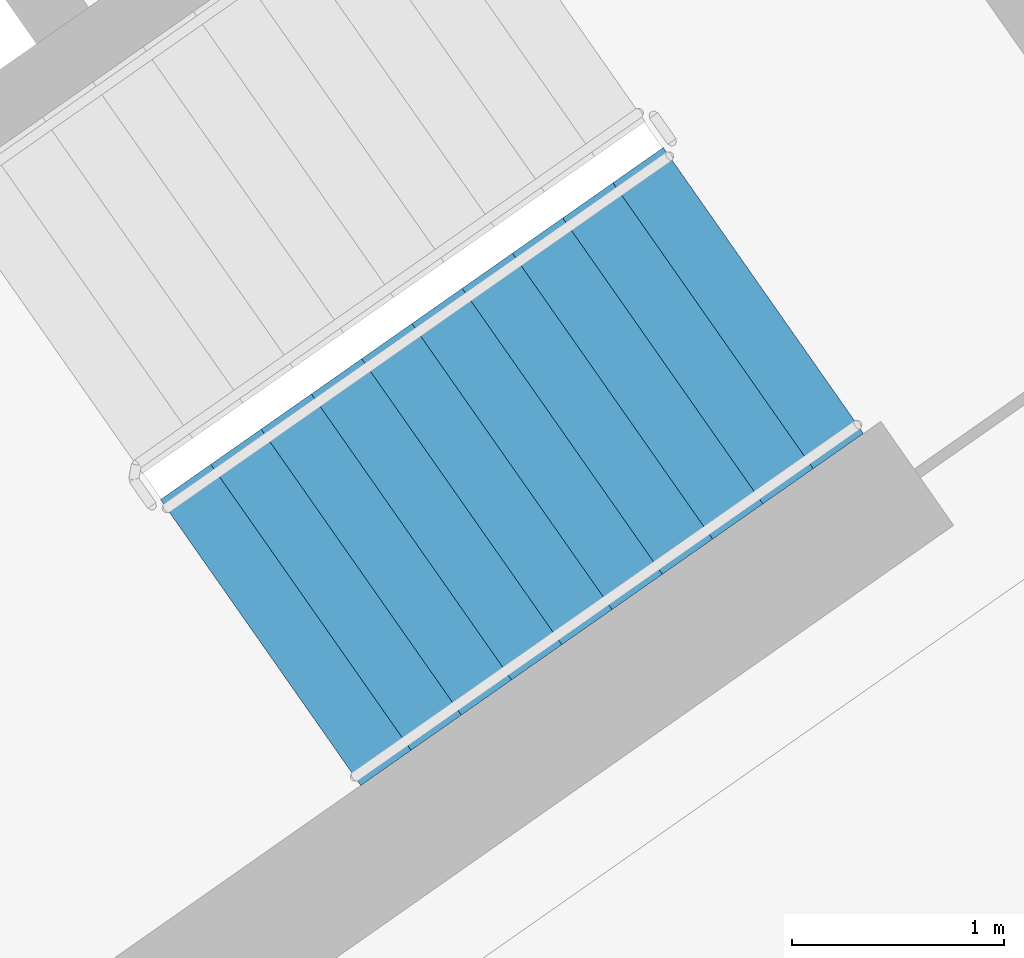
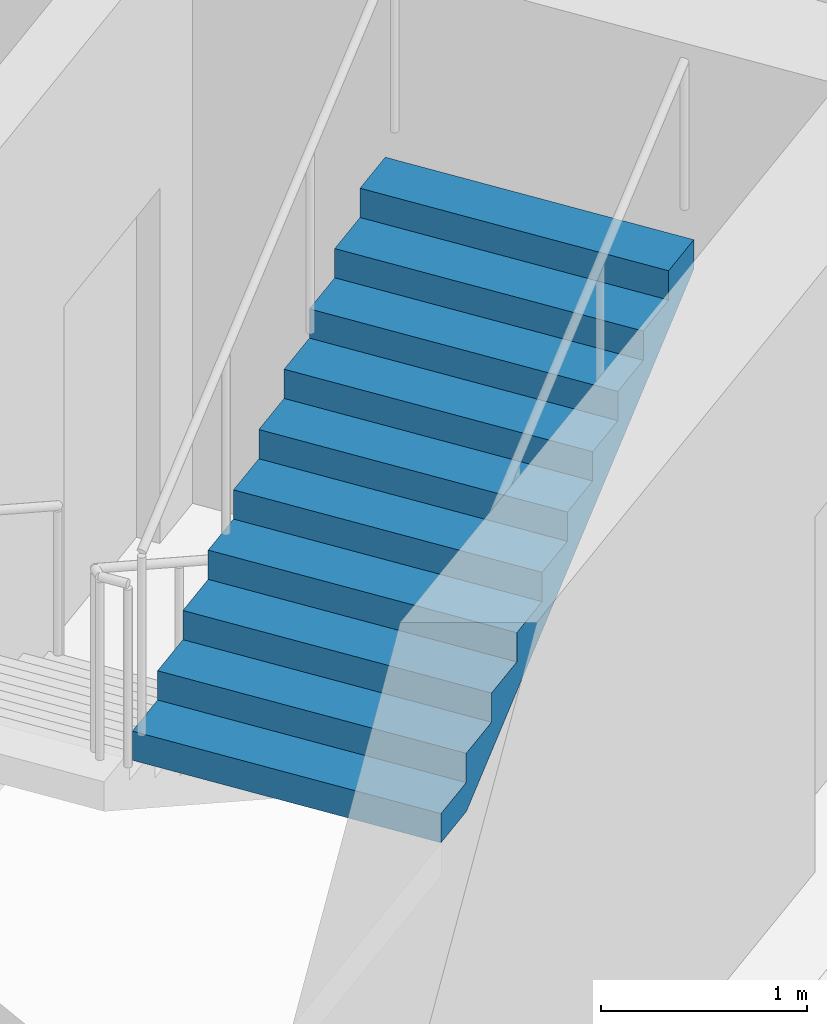
# One storey, part 14 of 28: 1 stair flight, 1 element without a shape of its own.
"""IFC4 building model written with IfcOpenShell, lengths in metres."""

from ifc_helpers import new_model, si_unit, direction, frame, origin, place, context, subcontext, project, spatial, faceted_brep, material, type_object, element, aggregate, save


model = new_model("IFC4")

# Units and contexts
model_context = context("Model", 3, precision=1e-05, world=origin(), true_north=direction((0.0, 1.0)))
body_context = subcontext(model_context, "Body", "Model", "MODEL_VIEW")
ifc_project = project(units=[si_unit("LENGTHUNIT", "METRE"), si_unit("AREAUNIT", "SQUARE_METRE"), si_unit("VOLUMEUNIT", "CUBIC_METRE"), si_unit("PLANEANGLEUNIT", "RADIAN"), si_unit("MASSUNIT", "GRAM", prefix="KILO")], contexts=[model_context])

# Site, building, storey
site_placement = place(None, origin())
site = spatial("IfcSite", under=ifc_project, at=site_placement, CompositionType="ELEMENT")
building_placement = place(site_placement, origin())
building = spatial("IfcBuilding", under=site, at=building_placement, Name="Qamariyya Broadcast Tower", CompositionType="ELEMENT")
storey_placement = place(building_placement, frame((0.0, 0.0, 273.300048828125)))
storey = spatial("IfcBuildingStorey", under=building, at=storey_placement, Name="L66", CompositionType="ELEMENT", Elevation=273.300048828125)

# Stair, stair flight
ifc_material = material(Name="Concrete C50/60", Category="concrete")
stair_type = type_object("IfcStairType", Name="Exit stair 22 risers of 173 mm", PredefinedType="HALF_TURN_STAIR", material=ifc_material)
stair_placement = place(storey_placement, origin())
stair = element("IfcStair", 1, at=stair_placement, inside=storey, type_object=stair_type, Name="L66 Stair E1", PredefinedType="HALF_TURN_STAIR")
stair_flight_type = type_object("IfcStairFlightType", Name="Exit stair flight 11 risers of 173 mm", PredefinedType="STRAIGHT", material=ifc_material)
stair_flight_placement = place(storey_placement, frame((44.693359375, -58.64599609375, 1.89990234375), z_axis=(0.0, 0.0, 1.0), x_axis=(0.819152044289, 0.573576436351, 0.0)))
stair_flight = element("IfcStairFlight", 2, at=stair_flight_placement, type_object=stair_flight_type, Name="ST-E1 flight 2", NumberOfRisers=11, NumberOfTreads=10, PredefinedType="STRAIGHT", RiserHeight=0.172727273, TreadLength=0.29, context=body_context, shape_type="Brep", body=[
    faceted_brep([(0.0, 0.824951171875, 0.0), (0.0, 0.824951171875, 0.172607421875), (0.2900390625, 0.824951171875, 0.172607421875), (0.2900390625, 0.824951171875, 0.345458984375), (0.580078125, 0.824951171875, 0.345458984375), (0.580078125, 0.824951171875, 0.51806640625), (0.8701171875, 0.824951171875, 0.51806640625), (0.8701171875, 0.824951171875, 0.69091796875), (1.159912109375, 0.824951171875, 0.69091796875), (1.159912109375, 0.824951171875, 0.863525390625), (1.449951171875, 0.824951171875, 0.863525390625), (1.449951171875, 0.824951171875, 1.036376953125), (1.739990234375, 0.824951171875, 1.036376953125), (1.739990234375, 0.824951171875, 1.208984375), (2.030029296875, 0.824951171875, 1.208984375), (2.030029296875, 0.824951171875, 1.3818359375), (2.320068359375, 0.824951171875, 1.3818359375), (2.320068359375, 0.824951171875, 1.554443359375), (2.610107421875, 0.824951171875, 1.554443359375), (2.610107421875, 0.824951171875, 1.727294921875), (2.89990234375, 0.824951171875, 1.727294921875), (2.89990234375, 0.824951171875, 1.552734375), (0.29296875, 0.824951171875, 0.0), (0.29296875, -0.824951171875, 0.0), (2.89990234375, -0.824951171875, 1.552734375), (2.89990234375, -0.824951171875, 1.727294921875), (2.610107421875, -0.824951171875, 1.727294921875), (2.610107421875, -0.824951171875, 1.554443359375), (2.320068359375, -0.824951171875, 1.554443359375), (2.320068359375, -0.824951171875, 1.3818359375), (2.030029296875, -0.824951171875, 1.3818359375), (2.030029296875, -0.824951171875, 1.208984375), (1.739990234375, -0.824951171875, 1.208984375), (1.739990234375, -0.824951171875, 1.036376953125), (1.449951171875, -0.824951171875, 1.036376953125), (1.449951171875, -0.824951171875, 0.863525390625), (1.159912109375, -0.824951171875, 0.863525390625), (1.159912109375, -0.824951171875, 0.69091796875), (0.8701171875, -0.824951171875, 0.69091796875), (0.8701171875, -0.824951171875, 0.51806640625), (0.580078125, -0.824951171875, 0.51806640625), (0.580078125, -0.824951171875, 0.345458984375), (0.2900390625, -0.824951171875, 0.345458984375), (0.2900390625, -0.824951171875, 0.172607421875), (0.0, -0.824951171875, 0.172607421875), (0.0, -0.824951171875, 0.0), (0.0, 0.10009765625, 0.0), (0.0, 0.086669921875, 0.0), (0.0, 0.0732421875, 0.0), (0.0, 0.06005859375, 0.0), (0.0, 0.046630859375, 0.0), (0.0, 0.033447265625, 0.0), (0.0, 0.02001953125, 0.0), (0.0, 0.006591796875, 0.0), (0.0, -0.006591796875, 0.0), (0.0, -0.02001953125, 0.0), (0.0, -0.033447265625, 0.0), (0.0, -0.046630859375, 0.0), (0.0, -0.06005859375, 0.0), (0.0, -0.0732421875, 0.0), (0.0, -0.086669921875, 0.0), (0.0, -0.10009765625, 0.0), (0.0, -0.10009765625, 0.172607421875), (0.0, -0.086669921875, 0.172607421875), (0.0, -0.0732421875, 0.172607421875), (0.0, -0.06005859375, 0.172607421875), (0.0, -0.046630859375, 0.172607421875), (0.0, -0.033447265625, 0.172607421875), (0.0, -0.02001953125, 0.172607421875), (0.0, -0.006591796875, 0.172607421875), (0.0, 0.006591796875, 0.172607421875), (0.0, 0.02001953125, 0.172607421875), (0.0, 0.033447265625, 0.172607421875), (0.0, 0.046630859375, 0.172607421875), (0.0, 0.06005859375, 0.172607421875), (0.0, 0.0732421875, 0.172607421875), (0.0, 0.086669921875, 0.172607421875), (0.0, 0.10009765625, 0.172607421875), (0.2900390625, -0.10009765625, 0.172607421875), (0.2900390625, -0.086669921875, 0.172607421875), (0.2900390625, -0.0732421875, 0.172607421875), (0.2900390625, -0.06005859375, 0.172607421875), (0.2900390625, -0.046630859375, 0.172607421875), (0.2900390625, -0.033447265625, 0.172607421875), (0.2900390625, -0.02001953125, 0.172607421875), (0.2900390625, -0.006591796875, 0.172607421875), (0.2900390625, 0.006591796875, 0.172607421875), (0.2900390625, 0.02001953125, 0.172607421875), (0.2900390625, 0.033447265625, 0.172607421875), (0.2900390625, 0.046630859375, 0.172607421875), (0.2900390625, 0.06005859375, 0.172607421875), (0.2900390625, 0.0732421875, 0.172607421875), (0.2900390625, 0.086669921875, 0.172607421875), (0.2900390625, 0.10009765625, 0.172607421875), (0.2900390625, -0.10009765625, 0.345458984375), (0.2900390625, -0.086669921875, 0.345458984375), (0.2900390625, -0.0732421875, 0.345458984375), (0.2900390625, -0.06005859375, 0.345458984375), (0.2900390625, -0.046630859375, 0.345458984375), (0.2900390625, -0.033447265625, 0.345458984375), (0.2900390625, -0.02001953125, 0.345458984375), (0.2900390625, -0.006591796875, 0.345458984375), (0.2900390625, 0.006591796875, 0.345458984375), (0.2900390625, 0.02001953125, 0.345458984375), (0.2900390625, 0.033447265625, 0.345458984375), (0.2900390625, 0.046630859375, 0.345458984375), (0.2900390625, 0.06005859375, 0.345458984375), (0.2900390625, 0.0732421875, 0.345458984375), (0.2900390625, 0.086669921875, 0.345458984375), (0.2900390625, 0.10009765625, 0.345458984375), (0.580078125, -0.10009765625, 0.345458984375), (0.580078125, -0.086669921875, 0.345458984375), (0.580078125, -0.0732421875, 0.345458984375), (0.580078125, -0.06005859375, 0.345458984375), (0.580078125, -0.046630859375, 0.345458984375), (0.580078125, -0.033447265625, 0.345458984375), (0.580078125, -0.02001953125, 0.345458984375), (0.580078125, -0.006591796875, 0.345458984375), (0.580078125, 0.006591796875, 0.345458984375), (0.580078125, 0.02001953125, 0.345458984375), (0.580078125, 0.033447265625, 0.345458984375), (0.580078125, 0.046630859375, 0.345458984375), (0.580078125, 0.06005859375, 0.345458984375), (0.580078125, 0.0732421875, 0.345458984375), (0.580078125, 0.086669921875, 0.345458984375), (0.580078125, 0.10009765625, 0.345458984375), (0.580078125, -0.10009765625, 0.51806640625), (0.580078125, -0.086669921875, 0.51806640625), (0.580078125, -0.0732421875, 0.51806640625), (0.580078125, -0.06005859375, 0.51806640625), (0.580078125, -0.046630859375, 0.51806640625), (0.580078125, -0.033447265625, 0.51806640625), (0.580078125, -0.02001953125, 0.51806640625), (0.580078125, -0.006591796875, 0.51806640625), (0.580078125, 0.006591796875, 0.51806640625), (0.580078125, 0.02001953125, 0.51806640625), (0.580078125, 0.033447265625, 0.51806640625), (0.580078125, 0.046630859375, 0.51806640625), (0.580078125, 0.06005859375, 0.51806640625), (0.580078125, 0.0732421875, 0.51806640625), (0.580078125, 0.086669921875, 0.51806640625), (0.580078125, 0.10009765625, 0.51806640625), (0.8701171875, -0.10009765625, 0.51806640625), (0.8701171875, -0.086669921875, 0.51806640625), (0.8701171875, -0.0732421875, 0.51806640625), (0.8701171875, -0.06005859375, 0.51806640625), (0.8701171875, -0.046630859375, 0.51806640625), (0.8701171875, -0.033447265625, 0.51806640625), (0.8701171875, -0.02001953125, 0.51806640625), (0.8701171875, -0.006591796875, 0.51806640625), (0.8701171875, 0.006591796875, 0.51806640625), (0.8701171875, 0.02001953125, 0.51806640625), (0.8701171875, 0.033447265625, 0.51806640625), (0.8701171875, 0.046630859375, 0.51806640625), (0.8701171875, 0.06005859375, 0.51806640625), (0.8701171875, 0.0732421875, 0.51806640625), (0.8701171875, 0.086669921875, 0.51806640625), (0.8701171875, 0.10009765625, 0.51806640625), (0.8701171875, -0.10009765625, 0.69091796875), (0.8701171875, -0.086669921875, 0.69091796875), (0.8701171875, -0.0732421875, 0.69091796875), (0.8701171875, -0.06005859375, 0.69091796875), (0.8701171875, -0.046630859375, 0.69091796875), (0.8701171875, -0.033447265625, 0.69091796875), (0.8701171875, -0.02001953125, 0.69091796875), (0.8701171875, -0.006591796875, 0.69091796875), (0.8701171875, 0.006591796875, 0.69091796875), (0.8701171875, 0.02001953125, 0.69091796875), (0.8701171875, 0.033447265625, 0.69091796875), (0.8701171875, 0.046630859375, 0.69091796875), (0.8701171875, 0.06005859375, 0.69091796875), (0.8701171875, 0.0732421875, 0.69091796875), (0.8701171875, 0.086669921875, 0.69091796875), (0.8701171875, 0.10009765625, 0.69091796875), (1.159912109375, -0.10009765625, 0.69091796875), (1.159912109375, -0.086669921875, 0.69091796875), (1.159912109375, -0.0732421875, 0.69091796875), (1.159912109375, -0.06005859375, 0.69091796875), (1.159912109375, -0.046630859375, 0.69091796875), (1.159912109375, -0.033447265625, 0.69091796875), (1.159912109375, -0.02001953125, 0.69091796875), (1.159912109375, -0.006591796875, 0.69091796875), (1.159912109375, 0.006591796875, 0.69091796875), (1.159912109375, 0.02001953125, 0.69091796875), (1.159912109375, 0.033447265625, 0.69091796875), (1.159912109375, 0.046630859375, 0.69091796875), (1.159912109375, 0.06005859375, 0.69091796875), (1.159912109375, 0.0732421875, 0.69091796875), (1.159912109375, 0.086669921875, 0.69091796875), (1.159912109375, 0.10009765625, 0.69091796875), (1.159912109375, -0.10009765625, 0.863525390625), (1.159912109375, -0.086669921875, 0.863525390625), (1.159912109375, -0.0732421875, 0.863525390625), (1.159912109375, -0.06005859375, 0.863525390625), (1.159912109375, -0.046630859375, 0.863525390625), (1.159912109375, -0.033447265625, 0.863525390625), (1.159912109375, -0.02001953125, 0.863525390625), (1.159912109375, -0.006591796875, 0.863525390625), (1.159912109375, 0.006591796875, 0.863525390625), (1.159912109375, 0.02001953125, 0.863525390625), (1.159912109375, 0.033447265625, 0.863525390625), (1.159912109375, 0.046630859375, 0.863525390625), (1.159912109375, 0.06005859375, 0.863525390625), (1.159912109375, 0.0732421875, 0.863525390625), (1.159912109375, 0.086669921875, 0.863525390625), (1.159912109375, 0.10009765625, 0.863525390625), (1.449951171875, -0.10009765625, 0.863525390625), (1.449951171875, -0.086669921875, 0.863525390625), (1.449951171875, -0.0732421875, 0.863525390625), (1.449951171875, -0.06005859375, 0.863525390625), (1.449951171875, -0.046630859375, 0.863525390625), (1.449951171875, -0.033447265625, 0.863525390625), (1.449951171875, -0.02001953125, 0.863525390625), (1.449951171875, -0.006591796875, 0.863525390625), (1.449951171875, 0.006591796875, 0.863525390625), (1.449951171875, 0.02001953125, 0.863525390625), (1.449951171875, 0.033447265625, 0.863525390625), (1.449951171875, 0.046630859375, 0.863525390625), (1.449951171875, 0.06005859375, 0.863525390625), (1.449951171875, 0.0732421875, 0.863525390625), (1.449951171875, 0.086669921875, 0.863525390625), (1.449951171875, 0.10009765625, 0.863525390625), (1.449951171875, -0.10009765625, 1.036376953125), (1.449951171875, -0.086669921875, 1.036376953125), (1.449951171875, -0.0732421875, 1.036376953125), (1.449951171875, -0.06005859375, 1.036376953125), (1.449951171875, -0.046630859375, 1.036376953125), (1.449951171875, -0.033447265625, 1.036376953125), (1.449951171875, -0.02001953125, 1.036376953125), (1.449951171875, -0.006591796875, 1.036376953125), (1.449951171875, 0.006591796875, 1.036376953125), (1.449951171875, 0.02001953125, 1.036376953125), (1.449951171875, 0.033447265625, 1.036376953125), (1.449951171875, 0.046630859375, 1.036376953125), (1.449951171875, 0.06005859375, 1.036376953125), (1.449951171875, 0.0732421875, 1.036376953125), (1.449951171875, 0.086669921875, 1.036376953125), (1.449951171875, 0.10009765625, 1.036376953125), (1.739990234375, -0.10009765625, 1.036376953125), (1.739990234375, -0.086669921875, 1.036376953125), (1.739990234375, -0.0732421875, 1.036376953125), (1.739990234375, -0.06005859375, 1.036376953125), (1.739990234375, -0.046630859375, 1.036376953125), (1.739990234375, -0.033447265625, 1.036376953125), (1.739990234375, -0.02001953125, 1.036376953125), (1.739990234375, -0.006591796875, 1.036376953125), (1.739990234375, 0.006591796875, 1.036376953125), (1.739990234375, 0.02001953125, 1.036376953125), (1.739990234375, 0.033447265625, 1.036376953125), (1.739990234375, 0.046630859375, 1.036376953125), (1.739990234375, 0.06005859375, 1.036376953125), (1.739990234375, 0.0732421875, 1.036376953125), (1.739990234375, 0.086669921875, 1.036376953125), (1.739990234375, 0.10009765625, 1.036376953125), (1.739990234375, -0.10009765625, 1.208984375), (1.739990234375, -0.086669921875, 1.208984375), (1.739990234375, -0.0732421875, 1.208984375), (1.739990234375, -0.06005859375, 1.208984375), (1.739990234375, -0.046630859375, 1.208984375), (1.739990234375, -0.033447265625, 1.208984375), (1.739990234375, -0.02001953125, 1.208984375), (1.739990234375, -0.006591796875, 1.208984375), (1.739990234375, 0.006591796875, 1.208984375), (1.739990234375, 0.02001953125, 1.208984375), (1.739990234375, 0.033447265625, 1.208984375), (1.739990234375, 0.046630859375, 1.208984375), (1.739990234375, 0.06005859375, 1.208984375), (1.739990234375, 0.0732421875, 1.208984375), (1.739990234375, 0.086669921875, 1.208984375), (1.739990234375, 0.10009765625, 1.208984375), (2.030029296875, -0.10009765625, 1.208984375), (2.030029296875, -0.086669921875, 1.208984375), (2.030029296875, -0.0732421875, 1.208984375), (2.030029296875, -0.06005859375, 1.208984375), (2.030029296875, -0.046630859375, 1.208984375), (2.030029296875, -0.033447265625, 1.208984375), (2.030029296875, -0.02001953125, 1.208984375), (2.030029296875, -0.006591796875, 1.208984375), (2.030029296875, 0.006591796875, 1.208984375), (2.030029296875, 0.02001953125, 1.208984375), (2.030029296875, 0.033447265625, 1.208984375), (2.030029296875, 0.046630859375, 1.208984375), (2.030029296875, 0.06005859375, 1.208984375), (2.030029296875, 0.0732421875, 1.208984375), (2.030029296875, 0.086669921875, 1.208984375), (2.030029296875, 0.10009765625, 1.208984375), (2.030029296875, -0.10009765625, 1.3818359375), (2.030029296875, -0.086669921875, 1.3818359375), (2.030029296875, -0.0732421875, 1.3818359375), (2.030029296875, -0.06005859375, 1.3818359375), (2.030029296875, -0.046630859375, 1.3818359375), (2.030029296875, -0.033447265625, 1.3818359375), (2.030029296875, -0.02001953125, 1.3818359375), (2.030029296875, -0.006591796875, 1.3818359375), (2.030029296875, 0.006591796875, 1.3818359375), (2.030029296875, 0.02001953125, 1.3818359375), (2.030029296875, 0.033447265625, 1.3818359375), (2.030029296875, 0.046630859375, 1.3818359375), (2.030029296875, 0.06005859375, 1.3818359375), (2.030029296875, 0.0732421875, 1.3818359375), (2.030029296875, 0.086669921875, 1.3818359375), (2.030029296875, 0.10009765625, 1.3818359375), (2.320068359375, -0.10009765625, 1.3818359375), (2.320068359375, -0.086669921875, 1.3818359375), (2.320068359375, -0.0732421875, 1.3818359375), (2.320068359375, -0.06005859375, 1.3818359375), (2.320068359375, -0.046630859375, 1.3818359375), (2.320068359375, -0.033447265625, 1.3818359375), (2.320068359375, -0.02001953125, 1.3818359375), (2.320068359375, -0.006591796875, 1.3818359375), (2.320068359375, 0.006591796875, 1.3818359375), (2.320068359375, 0.02001953125, 1.3818359375), (2.320068359375, 0.033447265625, 1.3818359375), (2.320068359375, 0.046630859375, 1.3818359375), (2.320068359375, 0.06005859375, 1.3818359375), (2.320068359375, 0.0732421875, 1.3818359375), (2.320068359375, 0.086669921875, 1.3818359375), (2.320068359375, 0.10009765625, 1.3818359375), (2.320068359375, -0.10009765625, 1.554443359375), (2.320068359375, -0.086669921875, 1.554443359375), (2.320068359375, -0.0732421875, 1.554443359375), (2.320068359375, -0.06005859375, 1.554443359375), (2.320068359375, -0.046630859375, 1.554443359375), (2.320068359375, -0.033447265625, 1.554443359375), (2.320068359375, -0.02001953125, 1.554443359375), (2.320068359375, -0.006591796875, 1.554443359375), (2.320068359375, 0.006591796875, 1.554443359375), (2.320068359375, 0.02001953125, 1.554443359375), (2.320068359375, 0.033447265625, 1.554443359375), (2.320068359375, 0.046630859375, 1.554443359375), (2.320068359375, 0.06005859375, 1.554443359375), (2.320068359375, 0.0732421875, 1.554443359375), (2.320068359375, 0.086669921875, 1.554443359375), (2.320068359375, 0.10009765625, 1.554443359375), (2.610107421875, -0.10009765625, 1.554443359375), (2.610107421875, -0.086669921875, 1.554443359375), (2.610107421875, -0.0732421875, 1.554443359375), (2.610107421875, -0.06005859375, 1.554443359375), (2.610107421875, -0.046630859375, 1.554443359375), (2.610107421875, -0.033447265625, 1.554443359375), (2.610107421875, -0.02001953125, 1.554443359375), (2.610107421875, -0.006591796875, 1.554443359375), (2.610107421875, 0.006591796875, 1.554443359375), (2.610107421875, 0.02001953125, 1.554443359375), (2.610107421875, 0.033447265625, 1.554443359375), (2.610107421875, 0.046630859375, 1.554443359375), (2.610107421875, 0.06005859375, 1.554443359375), (2.610107421875, 0.0732421875, 1.554443359375), (2.610107421875, 0.086669921875, 1.554443359375), (2.610107421875, 0.10009765625, 1.554443359375), (2.610107421875, -0.10009765625, 1.727294921875), (2.610107421875, -0.086669921875, 1.727294921875), (2.610107421875, -0.0732421875, 1.727294921875), (2.610107421875, -0.06005859375, 1.727294921875), (2.610107421875, -0.046630859375, 1.727294921875), (2.610107421875, -0.033447265625, 1.727294921875), (2.610107421875, -0.02001953125, 1.727294921875), (2.610107421875, -0.006591796875, 1.727294921875), (2.610107421875, 0.006591796875, 1.727294921875), (2.610107421875, 0.02001953125, 1.727294921875), (2.610107421875, 0.033447265625, 1.727294921875), (2.610107421875, 0.046630859375, 1.727294921875), (2.610107421875, 0.06005859375, 1.727294921875), (2.610107421875, 0.0732421875, 1.727294921875), (2.610107421875, 0.086669921875, 1.727294921875), (2.610107421875, 0.10009765625, 1.727294921875), (2.89990234375, -0.10009765625, 1.727294921875), (2.89990234375, -0.086669921875, 1.727294921875), (2.89990234375, -0.0732421875, 1.727294921875), (2.89990234375, -0.06005859375, 1.727294921875), (2.89990234375, -0.046630859375, 1.727294921875), (2.89990234375, -0.033447265625, 1.727294921875), (2.89990234375, -0.02001953125, 1.727294921875), (2.89990234375, -0.006591796875, 1.727294921875), (2.89990234375, 0.006591796875, 1.727294921875), (2.89990234375, 0.02001953125, 1.727294921875), (2.89990234375, 0.033447265625, 1.727294921875), (2.89990234375, 0.046630859375, 1.727294921875), (2.89990234375, 0.06005859375, 1.727294921875), (2.89990234375, 0.0732421875, 1.727294921875), (2.89990234375, 0.086669921875, 1.727294921875), (2.89990234375, 0.10009765625, 1.727294921875), (2.89990234375, -0.10009765625, 1.552734375), (2.89990234375, -0.086669921875, 1.552734375), (2.89990234375, -0.0732421875, 1.552734375), (2.89990234375, -0.06005859375, 1.552734375), (2.89990234375, -0.046630859375, 1.552734375), (2.89990234375, -0.033447265625, 1.552734375), (2.89990234375, -0.02001953125, 1.552734375), (2.89990234375, -0.006591796875, 1.552734375), (2.89990234375, 0.006591796875, 1.552734375), (2.89990234375, 0.02001953125, 1.552734375), (2.89990234375, 0.033447265625, 1.552734375), (2.89990234375, 0.046630859375, 1.552734375), (2.89990234375, 0.06005859375, 1.552734375), (2.89990234375, 0.0732421875, 1.552734375), (2.89990234375, 0.086669921875, 1.552734375), (2.89990234375, 0.10009765625, 1.552734375), (0.29296875, -0.10009765625, 0.0), (0.29296875, -0.086669921875, 0.0), (0.29296875, -0.0732421875, 0.0), (0.29296875, -0.06005859375, 0.0), (0.29296875, -0.046630859375, 0.0), (0.29296875, -0.033447265625, 0.0), (0.29296875, -0.02001953125, 0.0), (0.29296875, -0.006591796875, 0.0), (0.29296875, 0.006591796875, 0.0), (0.29296875, 0.02001953125, 0.0), (0.29296875, 0.033447265625, 0.0), (0.29296875, 0.046630859375, 0.0), (0.29296875, 0.06005859375, 0.0), (0.29296875, 0.0732421875, 0.0), (0.29296875, 0.086669921875, 0.0), (0.29296875, 0.10009765625, 0.0)], [[[0, 1, 2, 3, 4, 5, 6, 7, 8, 9, 10, 11, 12, 13, 14, 15, 16, 17, 18, 19, 20, 21, 22]], [[23, 24, 25, 26, 27, 28, 29, 30, 31, 32, 33, 34, 35, 36, 37, 38, 39, 40, 41, 42, 43, 44, 45]], [[0, 46, 47, 48, 49, 50, 51, 52, 53, 54, 55, 56, 57, 58, 59, 60, 61, 45, 44, 62, 63, 64, 65, 66, 67, 68, 69, 70, 71, 72, 73, 74, 75, 76, 77, 1]], [[1, 77, 76, 75, 74, 73, 72, 71, 70, 69, 68, 67, 66, 65, 64, 63, 62, 44, 43, 78, 79, 80, 81, 82, 83, 84, 85, 86, 87, 88, 89, 90, 91, 92, 93, 2]], [[2, 93, 92, 91, 90, 89, 88, 87, 86, 85, 84, 83, 82, 81, 80, 79, 78, 43, 42, 94, 95, 96, 97, 98, 99, 100, 101, 102, 103, 104, 105, 106, 107, 108, 109, 3]], [[3, 109, 108, 107, 106, 105, 104, 103, 102, 101, 100, 99, 98, 97, 96, 95, 94, 42, 41, 110, 111, 112, 113, 114, 115, 116, 117, 118, 119, 120, 121, 122, 123, 124, 125, 4]], [[4, 125, 124, 123, 122, 121, 120, 119, 118, 117, 116, 115, 114, 113, 112, 111, 110, 41, 40, 126, 127, 128, 129, 130, 131, 132, 133, 134, 135, 136, 137, 138, 139, 140, 141, 5]], [[5, 141, 140, 139, 138, 137, 136, 135, 134, 133, 132, 131, 130, 129, 128, 127, 126, 40, 39, 142, 143, 144, 145, 146, 147, 148, 149, 150, 151, 152, 153, 154, 155, 156, 157, 6]], [[6, 157, 156, 155, 154, 153, 152, 151, 150, 149, 148, 147, 146, 145, 144, 143, 142, 39, 38, 158, 159, 160, 161, 162, 163, 164, 165, 166, 167, 168, 169, 170, 171, 172, 173, 7]], [[7, 173, 172, 171, 170, 169, 168, 167, 166, 165, 164, 163, 162, 161, 160, 159, 158, 38, 37, 174, 175, 176, 177, 178, 179, 180, 181, 182, 183, 184, 185, 186, 187, 188, 189, 8]], [[8, 189, 188, 187, 186, 185, 184, 183, 182, 181, 180, 179, 178, 177, 176, 175, 174, 37, 36, 190, 191, 192, 193, 194, 195, 196, 197, 198, 199, 200, 201, 202, 203, 204, 205, 9]], [[9, 205, 204, 203, 202, 201, 200, 199, 198, 197, 196, 195, 194, 193, 192, 191, 190, 36, 35, 206, 207, 208, 209, 210, 211, 212, 213, 214, 215, 216, 217, 218, 219, 220, 221, 10]], [[10, 221, 220, 219, 218, 217, 216, 215, 214, 213, 212, 211, 210, 209, 208, 207, 206, 35, 34, 222, 223, 224, 225, 226, 227, 228, 229, 230, 231, 232, 233, 234, 235, 236, 237, 11]], [[11, 237, 236, 235, 234, 233, 232, 231, 230, 229, 228, 227, 226, 225, 224, 223, 222, 34, 33, 238, 239, 240, 241, 242, 243, 244, 245, 246, 247, 248, 249, 250, 251, 252, 253, 12]], [[12, 253, 252, 251, 250, 249, 248, 247, 246, 245, 244, 243, 242, 241, 240, 239, 238, 33, 32, 254, 255, 256, 257, 258, 259, 260, 261, 262, 263, 264, 265, 266, 267, 268, 269, 13]], [[13, 269, 268, 267, 266, 265, 264, 263, 262, 261, 260, 259, 258, 257, 256, 255, 254, 32, 31, 270, 271, 272, 273, 274, 275, 276, 277, 278, 279, 280, 281, 282, 283, 284, 285, 14]], [[14, 285, 284, 283, 282, 281, 280, 279, 278, 277, 276, 275, 274, 273, 272, 271, 270, 31, 30, 286, 287, 288, 289, 290, 291, 292, 293, 294, 295, 296, 297, 298, 299, 300, 301, 15]], [[15, 301, 300, 299, 298, 297, 296, 295, 294, 293, 292, 291, 290, 289, 288, 287, 286, 30, 29, 302, 303, 304, 305, 306, 307, 308, 309, 310, 311, 312, 313, 314, 315, 316, 317, 16]], [[16, 317, 316, 315, 314, 313, 312, 311, 310, 309, 308, 307, 306, 305, 304, 303, 302, 29, 28, 318, 319, 320, 321, 322, 323, 324, 325, 326, 327, 328, 329, 330, 331, 332, 333, 17]], [[17, 333, 332, 331, 330, 329, 328, 327, 326, 325, 324, 323, 322, 321, 320, 319, 318, 28, 27, 334, 335, 336, 337, 338, 339, 340, 341, 342, 343, 344, 345, 346, 347, 348, 349, 18]], [[18, 349, 348, 347, 346, 345, 344, 343, 342, 341, 340, 339, 338, 337, 336, 335, 334, 27, 26, 350, 351, 352, 353, 354, 355, 356, 357, 358, 359, 360, 361, 362, 363, 364, 365, 19]], [[19, 365, 364, 363, 362, 361, 360, 359, 358, 357, 356, 355, 354, 353, 352, 351, 350, 26, 25, 366, 367, 368, 369, 370, 371, 372, 373, 374, 375, 376, 377, 378, 379, 380, 381, 20]], [[20, 381, 380, 379, 378, 377, 376, 375, 374, 373, 372, 371, 370, 369, 368, 367, 366, 25, 24, 382, 383, 384, 385, 386, 387, 388, 389, 390, 391, 392, 393, 394, 395, 396, 397, 21]], [[21, 397, 396, 395, 394, 393, 392, 391, 390, 389, 388, 387, 386, 385, 384, 383, 382, 24, 23, 398, 399, 400, 401, 402, 403, 404, 405, 406, 407, 408, 409, 410, 411, 412, 413, 22]], [[22, 413, 412, 411, 410, 409, 408, 407, 406, 405, 404, 403, 402, 401, 400, 399, 398, 23, 45, 61, 60, 59, 58, 57, 56, 55, 54, 53, 52, 51, 50, 49, 48, 47, 46, 0]]]),
])
aggregate(stair, [stair_flight])

save(model, "model.ifc")
